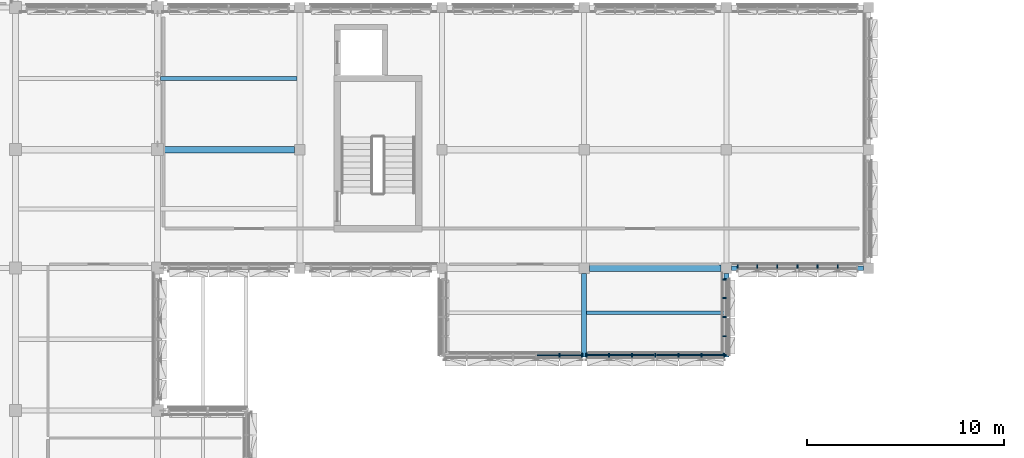
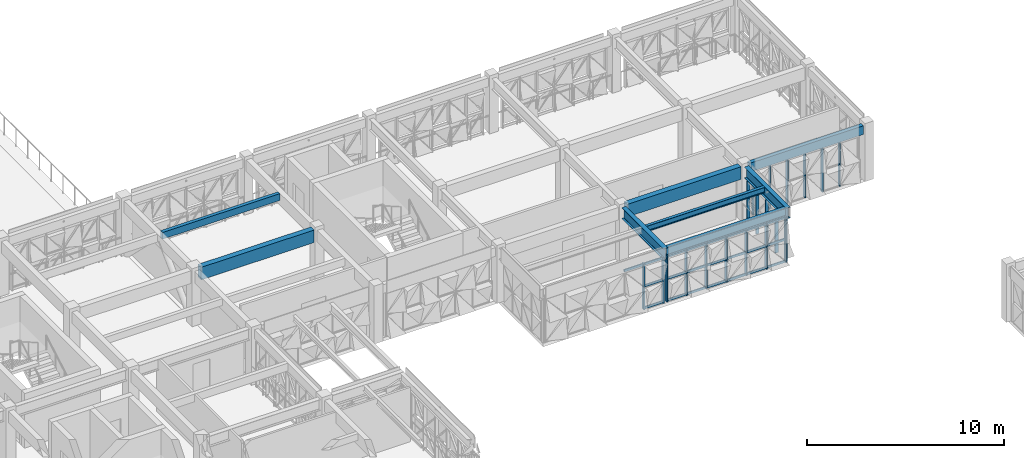
# One storey, part 9 of 99: 42 members, 8 beams, 4 elements without a shape of their own.
"""IFC4 building model written with IfcOpenShell, lengths in metres."""

from ifc_helpers import new_model, si_unit, direction, frame, origin, origin_2d, place, context, subcontext, project, spatial, rectangle, i_section, extrude, material, material_profile, profile_set, type_object, element, aggregate, save


model = new_model("IFC4")

# Units and contexts
model_context = context("Model", 3, precision=1e-05, world=origin(), true_north=direction((0.0, 1.0)))
body_context = subcontext(model_context, "Body", "Model", "MODEL_VIEW")
ifc_project = project(units=[si_unit("LENGTHUNIT", "METRE"), si_unit("AREAUNIT", "SQUARE_METRE"), si_unit("VOLUMEUNIT", "CUBIC_METRE"), si_unit("PLANEANGLEUNIT", "RADIAN"), si_unit("MASSUNIT", "GRAM", prefix="KILO")], contexts=[model_context])

# Site, building, storey
site_placement = place(None, origin())
site = spatial("IfcSite", under=ifc_project, at=site_placement, CompositionType="ELEMENT")
building_placement = place(site_placement, origin())
building = spatial("IfcBuilding", under=site, at=building_placement, Name="Alvorim Cloister Faculty of Sciences", CompositionType="ELEMENT")
storey_placement = place(building_placement, frame((0.0, 0.0, 12.14990234375)))
storey = spatial("IfcBuildingStorey", under=building, at=storey_placement, Name="L03", CompositionType="ELEMENT", Elevation=12.14990234375)

# Beams
ifc_material_1 = material(Name="Glulam GL32h", Category="wood")
ifc_material_profile_1 = material_profile(ifc_material_1, rectangle(XDim=0.320068359375, YDim=0.780029296875, at=origin_2d()), Name="GL32-BM-320x780")
ifc_profile_set_1 = profile_set([ifc_material_profile_1], Name="Glulam GL32h")
beam_type_1 = type_object("IfcBeamType", Name="BM-GL-320x780", PredefinedType="BEAM", material=ifc_profile_set_1)
beam_1_placement = place(storey_placement, frame((50.659912109375, 43.199951171875, 3.0), z_axis=(1.0, 0.0, 0.0), x_axis=(0.0, 1.0, 0.0)))
element("IfcBeam", 1, at=beam_1_placement, inside=storey, type_object=beam_type_1, Name="L03 Primary Beam BM-1540", PredefinedType="BEAM", context=body_context, shape_type="SweptSolid", body=[
    extrude(rectangle(XDim=0.320068359375, YDim=0.780029296875, at=origin_2d()), origin(), (0.0, 0.0, 1.0), 6.68017578125),
])
beam_2_placement = place(storey_placement, frame((29.10009765625, 49.199951171875, 3.0), z_axis=(1.0, 0.0, 0.0), x_axis=(0.0, 1.0, 0.0)))
element("IfcBeam", 2, at=beam_2_placement, inside=storey, type_object=beam_type_1, Name="L03 Primary Beam BM-1543", PredefinedType="BEAM", context=body_context, shape_type="SweptSolid", body=[
    extrude(rectangle(XDim=0.320068359375, YDim=0.780029296875, at=origin_2d()), origin(), (0.0, 0.0, 1.0), 6.639892578125),
])
ifc_material_2 = material(Name="Glulam GL28h", Category="wood")
ifc_material_profile_2 = material_profile(ifc_material_2, rectangle(XDim=0.199951171875, YDim=0.419921875, at=origin_2d()), Name="GL28-JST-200x420")
ifc_profile_set_2 = profile_set([ifc_material_profile_2], Name="Glulam GL28h")
beam_type_2 = type_object("IfcBeamType", Name="BM-JST-GL-200x420", PredefinedType="JOIST", material=ifc_profile_set_2)
beam_3_placement = place(storey_placement, frame((28.949951171875, 52.800048828125, 3.18017578125), z_axis=(1.0, 0.0, 0.0), x_axis=(0.0, 1.0, 0.0)))
element("IfcBeam", 3, at=beam_3_placement, inside=storey, type_object=beam_type_2, Name="L03 Secondary Floor Joist BM-1711", PredefinedType="JOIST", context=body_context, shape_type="SweptSolid", body=[
    extrude(rectangle(XDim=0.199951171875, YDim=0.419921875, at=origin_2d()), origin(), (0.0, 0.0, 1.0), 6.900146484375),
])
ifc_material_profile_3 = material_profile(ifc_material_2, rectangle(XDim=0.239990234375, YDim=0.5400390625, at=origin_2d()), Name="GL28-SPD-240x540")
ifc_profile_set_3 = profile_set([ifc_material_profile_3], Name="Glulam GL28h")
beam_type_3 = type_object("IfcBeamType", Name="BM-SPD-GL-240x540", PredefinedType="SPANDREL", material=ifc_profile_set_3)
beam_4_placement = place(storey_placement, frame((57.860107421875, 43.199951171875, 3.1201171875), z_axis=(1.0, 0.0, 0.0), x_axis=(0.0, 1.0, 0.0)))
element("IfcBeam", 4, at=beam_4_placement, inside=storey, type_object=beam_type_3, Name="L03 Primary Beam BM-1541", PredefinedType="SPANDREL", context=body_context, shape_type="SweptSolid", body=[
    extrude(rectangle(XDim=0.239990234375, YDim=0.5400390625, at=origin_2d()), origin(), (0.0, 0.0, 1.0), 6.679931640625),
])
ifc_material_3 = material(Name="Steel ASTM A572 Grade 50", Category="steel")
ifc_material_profile_4 = material_profile(ifc_material_3, i_section(OverallWidth=0.1708984375, OverallDepth=0.35498046875, WebThickness=0.007080078125, FlangeThickness=0.01171875, FilletRadius=0.012939453125, at=origin_2d()), Name="W360x51.0")
ifc_profile_set_4 = profile_set([ifc_material_profile_4], Name="Steel ASTM A572 Grade 50")
beam_type_4 = type_object("IfcBeamType", Name="BM-STL-W360", PredefinedType="JOIST", material=ifc_profile_set_4)
beam_5_placement = place(storey_placement, frame((50.510009765625, 40.949951171875, 3.212646484375), z_axis=(1.0, 0.0, 0.0), x_axis=(0.0, 1.0, 0.0)))
element("IfcBeam", 5, at=beam_5_placement, inside=storey, type_object=beam_type_4, Name="L03 Cantilever Deck Joist BM-0060", PredefinedType="JOIST", context=body_context, shape_type="SweptSolid", body=[
    extrude(i_section(OverallWidth=0.1708984375, OverallDepth=0.35498046875, WebThickness=0.007080078125, FlangeThickness=0.01171875, FilletRadius=0.012939453125, at=origin_2d()), origin(), (0.0, 0.0, 1.0), 6.97998046875),
])
ifc_material_profile_5 = material_profile(ifc_material_3, i_section(OverallWidth=0.208984375, OverallDepth=0.532958984375, WebThickness=0.01025390625, FlangeThickness=0.015625, FilletRadius=0.01611328125, at=origin_2d()), Name="W530x92.0")
ifc_profile_set_5 = profile_set([ifc_material_profile_5], Name="Steel ASTM A572 Grade 50")
beam_type_5 = type_object("IfcBeamType", Name="BM-STL-W530", PredefinedType="BEAM", material=ifc_profile_set_5)
beam_6_placement = place(storey_placement, frame((50.510009765625, 38.820068359375, 3.12353515625), z_axis=(1.0, 0.0, 0.0), x_axis=(0.0, 1.0, 0.0)))
element("IfcBeam", 6, at=beam_6_placement, inside=storey, type_object=beam_type_5, Name="L03 Cantilever Tip Header Girder BM-0059", PredefinedType="BEAM", context=body_context, shape_type="SweptSolid", body=[
    extrude(i_section(OverallWidth=0.208984375, OverallDepth=0.532958984375, WebThickness=0.01025390625, FlangeThickness=0.015625, FilletRadius=0.01611328125, at=origin_2d()), origin(), (0.0, 0.0, 1.0), 6.97998046875),
])
ifc_material_profile_6 = material_profile(ifc_material_3, i_section(OverallWidth=0.25390625, OverallDepth=0.68408203125, WebThickness=0.012451171875, FlangeThickness=0.01904296875, FilletRadius=0.01904296875, at=origin_2d()), Name="W690x140.0")
ifc_profile_set_6 = profile_set([ifc_material_profile_6], Name="Steel ASTM A572 Grade 50")
beam_type_6 = type_object("IfcBeamType", Name="BM-STL-W690", PredefinedType="BEAM", material=ifc_profile_set_6)
for number, where, z_axis, x_axis, name in (
    (7, (50.39990234375, 38.699951171875, 3.048095703125), (0.0, 1.0, 0.0), (-1.0, 0.0, 0.0), "L03 Cantilever Overhang Girder BM-0054"),
    (8, (57.60009765625, 38.699951171875, 3.048095703125), (0.0, 1.0, 0.0), (-1.0, 0.0, 0.0), "L03 Cantilever Overhang Girder BM-0056"),
):
    element("IfcBeam", number, at=place(storey_placement, frame(where, z_axis=z_axis, x_axis=x_axis)), inside=storey, type_object=beam_type_6, Name=name, PredefinedType="BEAM", context=body_context, shape_type="SweptSolid", body=[
        extrude(i_section(OverallWidth=0.25390625, OverallDepth=0.68408203125, WebThickness=0.012451171875, FlangeThickness=0.01904296875, FilletRadius=0.01904296875, at=origin_2d()), origin(), (0.0, 0.0, 1.0), 4.239990234375),
    ])

# Curtain wall, members
ifc_material_4 = material(Name="Aluminium and Low-E Glass Curtain Wall", Category="aluminium")
curtain_wall_type_1 = type_object("IfcCurtainWallType", Name="CW-TRI-6120x2850", PredefinedType="USERDEFINED", material=ifc_material_4)
curtain_wall_1_placement = place(storey_placement, origin())
curtain_wall_1 = element("IfcCurtainWall", 9, at=curtain_wall_1_placement, inside=storey, type_object=curtain_wall_type_1, Name="L03 Diagonal Cassette Curtain Wall CW-0132", ObjectType="UNITISED CURTAIN WALL", PredefinedType="USERDEFINED")
ifc_material_5 = material(Name="Aluminium Alloy 6063-T6", Category="aluminium")
ifc_material_profile_7 = material_profile(ifc_material_5, rectangle(XDim=0.06494140625, YDim=0.179931640625, at=origin_2d()), Name="ALU-MUL-65x180")
ifc_profile_set_7 = profile_set([ifc_material_profile_7], Name="Aluminium Alloy 6063-T6")
member_type_1 = type_object("IfcMemberType", Name="CW-MUL-65x180", PredefinedType="MULLION", material=ifc_profile_set_7)
member_1_placement = place(storey_placement, frame((58.172607421875, 43.2900390625, 0.0), z_axis=(0.0, 0.0, 1.0), x_axis=(1.0, 0.0, 0.0)))
member_1 = element("IfcMember", 10, at=member_1_placement, type_object=member_type_1, Name="CW-0132 Mullion 1", PredefinedType="MULLION", context=body_context, shape_type="SweptSolid", body=[
    extrude(rectangle(XDim=0.06494140625, YDim=0.179931640625, at=origin_2d()), origin(), (0.0, 0.0, 1.0), 2.85009765625),
])
member_2_placement = place(storey_placement, frame((59.159912109375, 43.2900390625, 0.0), z_axis=(0.0, 0.0, 1.0), x_axis=(1.0, 0.0, 0.0)))
member_2 = element("IfcMember", 11, at=member_2_placement, type_object=member_type_1, Name="CW-0132 Mullion 2", PredefinedType="MULLION", context=body_context, shape_type="SweptSolid", body=[
    extrude(rectangle(XDim=0.06494140625, YDim=0.179931640625, at=origin_2d()), origin(), (0.0, 0.0, 1.0), 2.85009765625),
])
member_3_placement = place(storey_placement, frame((60.179931640625, 43.2900390625, 0.0), z_axis=(0.0, 0.0, 1.0), x_axis=(1.0, 0.0, 0.0)))
member_3 = element("IfcMember", 12, at=member_3_placement, type_object=member_type_1, Name="CW-0132 Mullion 3", PredefinedType="MULLION", context=body_context, shape_type="SweptSolid", body=[
    extrude(rectangle(XDim=0.06494140625, YDim=0.179931640625, at=origin_2d()), origin(), (0.0, 0.0, 1.0), 2.85009765625),
])
member_4_placement = place(storey_placement, frame((61.199951171875, 43.2900390625, 0.0), z_axis=(0.0, 0.0, 1.0), x_axis=(1.0, 0.0, 0.0)))
member_4 = element("IfcMember", 13, at=member_4_placement, type_object=member_type_1, Name="CW-0132 Mullion 4", PredefinedType="MULLION", context=body_context, shape_type="SweptSolid", body=[
    extrude(rectangle(XDim=0.06494140625, YDim=0.179931640625, at=origin_2d()), origin(), (0.0, 0.0, 1.0), 2.85009765625),
])
member_5_placement = place(storey_placement, frame((62.219970703125, 43.2900390625, 0.0), z_axis=(0.0, 0.0, 1.0), x_axis=(1.0, 0.0, 0.0)))
member_5 = element("IfcMember", 14, at=member_5_placement, type_object=member_type_1, Name="CW-0132 Mullion 5", PredefinedType="MULLION", context=body_context, shape_type="SweptSolid", body=[
    extrude(rectangle(XDim=0.06494140625, YDim=0.179931640625, at=origin_2d()), origin(), (0.0, 0.0, 1.0), 2.85009765625),
])
member_6_placement = place(storey_placement, frame((63.239990234375, 43.2900390625, 0.0), z_axis=(0.0, 0.0, 1.0), x_axis=(1.0, 0.0, 0.0)))
member_6 = element("IfcMember", 15, at=member_6_placement, type_object=member_type_1, Name="CW-0132 Mullion 6", PredefinedType="MULLION", context=body_context, shape_type="SweptSolid", body=[
    extrude(rectangle(XDim=0.06494140625, YDim=0.179931640625, at=origin_2d()), origin(), (0.0, 0.0, 1.0), 2.85009765625),
])
aggregate(curtain_wall_1, [member_1, member_2, member_3, member_4, member_5, member_6])

curtain_wall_type_2 = type_object("IfcCurtainWallType", Name="CW-TRI-3880x2706", PredefinedType="USERDEFINED", material=ifc_material_4)
curtain_wall_2_placement = place(storey_placement, origin())
curtain_wall_2 = element("IfcCurtainWall", 16, at=curtain_wall_2_placement, inside=storey, type_object=curtain_wall_type_2, Name="L03 Diagonal Cassette Curtain Wall CW-0133", ObjectType="UNITISED CURTAIN WALL", PredefinedType="USERDEFINED")
member_7_placement = place(storey_placement, frame((57.510009765625, 38.8125, 0.0), z_axis=(0.0, 0.0, 1.0), x_axis=(0.0, 1.0, 0.0)))
member_7 = element("IfcMember", 17, at=member_7_placement, type_object=member_type_1, Name="CW-0133 Mullion 1", PredefinedType="MULLION", context=body_context, shape_type="SweptSolid", body=[
    extrude(rectangle(XDim=0.06494140625, YDim=0.179931640625, at=origin_2d()), origin(), (0.0, 0.0, 1.0), 2.7060546875),
])
member_8_placement = place(storey_placement, frame((57.510009765625, 39.75, 0.0), z_axis=(0.0, 0.0, 1.0), x_axis=(0.0, 1.0, 0.0)))
member_8 = element("IfcMember", 18, at=member_8_placement, type_object=member_type_1, Name="CW-0133 Mullion 2", PredefinedType="MULLION", context=body_context, shape_type="SweptSolid", body=[
    extrude(rectangle(XDim=0.06494140625, YDim=0.179931640625, at=origin_2d()), origin(), (0.0, 0.0, 1.0), 2.7060546875),
])
member_9_placement = place(storey_placement, frame((57.510009765625, 40.719970703125, 0.0), z_axis=(0.0, 0.0, 1.0), x_axis=(0.0, 1.0, 0.0)))
member_9 = element("IfcMember", 19, at=member_9_placement, type_object=member_type_1, Name="CW-0133 Mullion 3", PredefinedType="MULLION", context=body_context, shape_type="SweptSolid", body=[
    extrude(rectangle(XDim=0.06494140625, YDim=0.179931640625, at=origin_2d()), origin(), (0.0, 0.0, 1.0), 2.7060546875),
])
member_10_placement = place(storey_placement, frame((57.510009765625, 41.68994140625, 0.0), z_axis=(0.0, 0.0, 1.0), x_axis=(0.0, 1.0, 0.0)))
member_10 = element("IfcMember", 20, at=member_10_placement, type_object=member_type_1, Name="CW-0133 Mullion 4", PredefinedType="MULLION", context=body_context, shape_type="SweptSolid", body=[
    extrude(rectangle(XDim=0.06494140625, YDim=0.179931640625, at=origin_2d()), origin(), (0.0, 0.0, 1.0), 2.7060546875),
])
member_11_placement = place(storey_placement, frame((57.510009765625, 42.62744140625, 0.0), z_axis=(0.0, 0.0, 1.0), x_axis=(0.0, 1.0, 0.0)))
member_11 = element("IfcMember", 21, at=member_11_placement, type_object=member_type_1, Name="CW-0133 Mullion 5", PredefinedType="MULLION", context=body_context, shape_type="SweptSolid", body=[
    extrude(rectangle(XDim=0.06494140625, YDim=0.179931640625, at=origin_2d()), origin(), (0.0, 0.0, 1.0), 2.7060546875),
])
aggregate(curtain_wall_2, [member_7, member_8, member_9, member_10, member_11])

curtain_wall_type_3 = type_object("IfcCurtainWallType", Name="CW-TRI-7040x2857", PredefinedType="USERDEFINED", material=ifc_material_4)
curtain_wall_3_placement = place(storey_placement, origin())
curtain_wall_3 = element("IfcCurtainWall", 22, at=curtain_wall_3_placement, inside=storey, type_object=curtain_wall_type_3, Name="L03 Diagonal Cassette Curtain Wall CW-0134", ObjectType="UNITISED CURTAIN WALL", PredefinedType="USERDEFINED")
member_12_placement = place(storey_placement, frame((50.512451171875, 38.7900390625, 0.0), z_axis=(0.0, 0.0, 1.0), x_axis=(1.0, 0.0, 0.0)))
member_12 = element("IfcMember", 23, at=member_12_placement, type_object=member_type_1, Name="CW-0134 Mullion 1", PredefinedType="MULLION", context=body_context, shape_type="SweptSolid", body=[
    extrude(rectangle(XDim=0.06494140625, YDim=0.179931640625, at=origin_2d()), origin(), (0.0, 0.0, 1.0), 2.857177734375),
])
member_13_placement = place(storey_placement, frame((51.6533203125, 38.7900390625, 0.0), z_axis=(0.0, 0.0, 1.0), x_axis=(1.0, 0.0, 0.0)))
member_13 = element("IfcMember", 24, at=member_13_placement, type_object=member_type_1, Name="CW-0134 Mullion 2", PredefinedType="MULLION", context=body_context, shape_type="SweptSolid", body=[
    extrude(rectangle(XDim=0.06494140625, YDim=0.179931640625, at=origin_2d()), origin(), (0.0, 0.0, 1.0), 2.857177734375),
])
member_14_placement = place(storey_placement, frame((52.82666015625, 38.7900390625, 0.0), z_axis=(0.0, 0.0, 1.0), x_axis=(1.0, 0.0, 0.0)))
member_14 = element("IfcMember", 25, at=member_14_placement, type_object=member_type_1, Name="CW-0134 Mullion 3", PredefinedType="MULLION", context=body_context, shape_type="SweptSolid", body=[
    extrude(rectangle(XDim=0.06494140625, YDim=0.179931640625, at=origin_2d()), origin(), (0.0, 0.0, 1.0), 2.857177734375),
])
member_15_placement = place(storey_placement, frame((54.0, 38.7900390625, 0.0), z_axis=(0.0, 0.0, 1.0), x_axis=(1.0, 0.0, 0.0)))
member_15 = element("IfcMember", 26, at=member_15_placement, type_object=member_type_1, Name="CW-0134 Mullion 4", PredefinedType="MULLION", context=body_context, shape_type="SweptSolid", body=[
    extrude(rectangle(XDim=0.06494140625, YDim=0.179931640625, at=origin_2d()), origin(), (0.0, 0.0, 1.0), 2.857177734375),
])
member_16_placement = place(storey_placement, frame((55.17333984375, 38.7900390625, 0.0), z_axis=(0.0, 0.0, 1.0), x_axis=(1.0, 0.0, 0.0)))
member_16 = element("IfcMember", 27, at=member_16_placement, type_object=member_type_1, Name="CW-0134 Mullion 5", PredefinedType="MULLION", context=body_context, shape_type="SweptSolid", body=[
    extrude(rectangle(XDim=0.06494140625, YDim=0.179931640625, at=origin_2d()), origin(), (0.0, 0.0, 1.0), 2.857177734375),
])
member_17_placement = place(storey_placement, frame((56.3466796875, 38.7900390625, 0.0), z_axis=(0.0, 0.0, 1.0), x_axis=(1.0, 0.0, 0.0)))
member_17 = element("IfcMember", 28, at=member_17_placement, type_object=member_type_1, Name="CW-0134 Mullion 6", PredefinedType="MULLION", context=body_context, shape_type="SweptSolid", body=[
    extrude(rectangle(XDim=0.06494140625, YDim=0.179931640625, at=origin_2d()), origin(), (0.0, 0.0, 1.0), 2.857177734375),
])
member_18_placement = place(storey_placement, frame((57.487548828125, 38.7900390625, 0.0), z_axis=(0.0, 0.0, 1.0), x_axis=(1.0, 0.0, 0.0)))
member_18 = element("IfcMember", 29, at=member_18_placement, type_object=member_type_1, Name="CW-0134 Mullion 7", PredefinedType="MULLION", context=body_context, shape_type="SweptSolid", body=[
    extrude(rectangle(XDim=0.06494140625, YDim=0.179931640625, at=origin_2d()), origin(), (0.0, 0.0, 1.0), 2.857177734375),
])

curtain_wall_4_placement = place(storey_placement, origin())
curtain_wall_4 = element("IfcCurtainWall", 30, at=curtain_wall_4_placement, inside=storey, type_object=curtain_wall_type_3, Name="L03 Diagonal Cassette Curtain Wall CW-0135", ObjectType="UNITISED CURTAIN WALL", PredefinedType="USERDEFINED")
member_19_placement = place(storey_placement, frame((49.146728515625, 38.7900390625, 0.0), z_axis=(0.0, 0.0, 1.0), x_axis=(1.0, 0.0, 0.0)))
member_19 = element("IfcMember", 31, at=member_19_placement, type_object=member_type_1, Name="CW-0135 Mullion 6", PredefinedType="MULLION", context=body_context, shape_type="SweptSolid", body=[
    extrude(rectangle(XDim=0.06494140625, YDim=0.179931640625, at=origin_2d()), origin(), (0.0, 0.0, 1.0), 2.857177734375),
])
member_20_placement = place(storey_placement, frame((50.28759765625, 38.7900390625, 0.0), z_axis=(0.0, 0.0, 1.0), x_axis=(1.0, 0.0, 0.0)))
member_20 = element("IfcMember", 32, at=member_20_placement, type_object=member_type_1, Name="CW-0135 Mullion 7", PredefinedType="MULLION", context=body_context, shape_type="SweptSolid", body=[
    extrude(rectangle(XDim=0.06494140625, YDim=0.179931640625, at=origin_2d()), origin(), (0.0, 0.0, 1.0), 2.857177734375),
])

# Member
ifc_material_profile_8 = material_profile(ifc_material_5, rectangle(XDim=0.06494140625, YDim=0.139892578125, at=origin_2d()), Name="ALU-TRN-65x140")
ifc_profile_set_8 = profile_set([ifc_material_profile_8], Name="Aluminium Alloy 6063-T6")
member_type_2 = type_object("IfcMemberType", Name="CW-TRN-65x140", PredefinedType="USERDEFINED", material=ifc_profile_set_8)
member_21_placement = place(storey_placement, frame((50.544921875, 38.7900390625, 0.070068359375), z_axis=(1.0, 0.0, 0.0), x_axis=(0.0, 1.0, 0.0)))
member_21 = element("IfcMember", 33, at=member_21_placement, type_object=member_type_2, Name="CW-0134 Transom 1.1", ObjectType="TRANSOM", PredefinedType="USERDEFINED", context=body_context, shape_type="SweptSolid", body=[
    extrude(rectangle(XDim=0.06494140625, YDim=0.139892578125, at=origin_2d()), origin(), (0.0, 0.0, 1.0), 1.075927734375),
])

member_22_placement = place(storey_placement, frame((50.544921875, 38.7900390625, 1.4287109375), z_axis=(1.0, 0.0, 0.0), x_axis=(0.0, 1.0, 0.0)))
member_22 = element("IfcMember", 34, at=member_22_placement, type_object=member_type_2, Name="CW-0134 Transom 1.2", ObjectType="TRANSOM", PredefinedType="USERDEFINED", context=body_context, shape_type="SweptSolid", body=[
    extrude(rectangle(XDim=0.06494140625, YDim=0.139892578125, at=origin_2d()), origin(), (0.0, 0.0, 1.0), 1.075927734375),
])

member_23_placement = place(storey_placement, frame((50.544921875, 38.7900390625, 2.787109375), z_axis=(1.0, 0.0, 0.0), x_axis=(0.0, 1.0, 0.0)))
member_23 = element("IfcMember", 35, at=member_23_placement, type_object=member_type_2, Name="CW-0134 Transom 1.3", ObjectType="TRANSOM", PredefinedType="USERDEFINED", context=body_context, shape_type="SweptSolid", body=[
    extrude(rectangle(XDim=0.06494140625, YDim=0.139892578125, at=origin_2d()), origin(), (0.0, 0.0, 1.0), 1.075927734375),
])

member_24_placement = place(storey_placement, frame((51.685791015625, 38.7900390625, 0.070068359375), z_axis=(1.0, 0.0, 0.0), x_axis=(0.0, 1.0, 0.0)))
member_24 = element("IfcMember", 36, at=member_24_placement, type_object=member_type_2, Name="CW-0134 Transom 2.1", ObjectType="TRANSOM", PredefinedType="USERDEFINED", context=body_context, shape_type="SweptSolid", body=[
    extrude(rectangle(XDim=0.06494140625, YDim=0.139892578125, at=origin_2d()), origin(), (0.0, 0.0, 1.0), 1.1083984375),
])

member_25_placement = place(storey_placement, frame((51.685791015625, 38.7900390625, 1.4287109375), z_axis=(1.0, 0.0, 0.0), x_axis=(0.0, 1.0, 0.0)))
member_25 = element("IfcMember", 37, at=member_25_placement, type_object=member_type_2, Name="CW-0134 Transom 2.2", ObjectType="TRANSOM", PredefinedType="USERDEFINED", context=body_context, shape_type="SweptSolid", body=[
    extrude(rectangle(XDim=0.06494140625, YDim=0.139892578125, at=origin_2d()), origin(), (0.0, 0.0, 1.0), 1.1083984375),
])

member_26_placement = place(storey_placement, frame((51.685791015625, 38.7900390625, 2.787109375), z_axis=(1.0, 0.0, 0.0), x_axis=(0.0, 1.0, 0.0)))
member_26 = element("IfcMember", 38, at=member_26_placement, type_object=member_type_2, Name="CW-0134 Transom 2.3", ObjectType="TRANSOM", PredefinedType="USERDEFINED", context=body_context, shape_type="SweptSolid", body=[
    extrude(rectangle(XDim=0.06494140625, YDim=0.139892578125, at=origin_2d()), origin(), (0.0, 0.0, 1.0), 1.1083984375),
])

member_27_placement = place(storey_placement, frame((52.859130859375, 38.7900390625, 0.070068359375), z_axis=(1.0, 0.0, 0.0), x_axis=(0.0, 1.0, 0.0)))
member_27 = element("IfcMember", 39, at=member_27_placement, type_object=member_type_2, Name="CW-0134 Transom 3.1", ObjectType="TRANSOM", PredefinedType="USERDEFINED", context=body_context, shape_type="SweptSolid", body=[
    extrude(rectangle(XDim=0.06494140625, YDim=0.139892578125, at=origin_2d()), origin(), (0.0, 0.0, 1.0), 1.1083984375),
])

member_28_placement = place(storey_placement, frame((52.859130859375, 38.7900390625, 1.4287109375), z_axis=(1.0, 0.0, 0.0), x_axis=(0.0, 1.0, 0.0)))
member_28 = element("IfcMember", 40, at=member_28_placement, type_object=member_type_2, Name="CW-0134 Transom 3.2", ObjectType="TRANSOM", PredefinedType="USERDEFINED", context=body_context, shape_type="SweptSolid", body=[
    extrude(rectangle(XDim=0.06494140625, YDim=0.139892578125, at=origin_2d()), origin(), (0.0, 0.0, 1.0), 1.1083984375),
])

member_29_placement = place(storey_placement, frame((52.859130859375, 38.7900390625, 2.787109375), z_axis=(1.0, 0.0, 0.0), x_axis=(0.0, 1.0, 0.0)))
member_29 = element("IfcMember", 41, at=member_29_placement, type_object=member_type_2, Name="CW-0134 Transom 3.3", ObjectType="TRANSOM", PredefinedType="USERDEFINED", context=body_context, shape_type="SweptSolid", body=[
    extrude(rectangle(XDim=0.06494140625, YDim=0.139892578125, at=origin_2d()), origin(), (0.0, 0.0, 1.0), 1.1083984375),
])

member_30_placement = place(storey_placement, frame((54.032470703125, 38.7900390625, 0.070068359375), z_axis=(1.0, 0.0, 0.0), x_axis=(0.0, 1.0, 0.0)))
member_30 = element("IfcMember", 42, at=member_30_placement, type_object=member_type_2, Name="CW-0134 Transom 4.1", ObjectType="TRANSOM", PredefinedType="USERDEFINED", context=body_context, shape_type="SweptSolid", body=[
    extrude(rectangle(XDim=0.06494140625, YDim=0.139892578125, at=origin_2d()), origin(), (0.0, 0.0, 1.0), 1.1083984375),
])

member_31_placement = place(storey_placement, frame((54.032470703125, 38.7900390625, 1.4287109375), z_axis=(1.0, 0.0, 0.0), x_axis=(0.0, 1.0, 0.0)))
member_31 = element("IfcMember", 43, at=member_31_placement, type_object=member_type_2, Name="CW-0134 Transom 4.2", ObjectType="TRANSOM", PredefinedType="USERDEFINED", context=body_context, shape_type="SweptSolid", body=[
    extrude(rectangle(XDim=0.06494140625, YDim=0.139892578125, at=origin_2d()), origin(), (0.0, 0.0, 1.0), 1.1083984375),
])

member_32_placement = place(storey_placement, frame((54.032470703125, 38.7900390625, 2.787109375), z_axis=(1.0, 0.0, 0.0), x_axis=(0.0, 1.0, 0.0)))
member_32 = element("IfcMember", 44, at=member_32_placement, type_object=member_type_2, Name="CW-0134 Transom 4.3", ObjectType="TRANSOM", PredefinedType="USERDEFINED", context=body_context, shape_type="SweptSolid", body=[
    extrude(rectangle(XDim=0.06494140625, YDim=0.139892578125, at=origin_2d()), origin(), (0.0, 0.0, 1.0), 1.1083984375),
])

member_33_placement = place(storey_placement, frame((55.205810546875, 38.7900390625, 0.070068359375), z_axis=(1.0, 0.0, 0.0), x_axis=(0.0, 1.0, 0.0)))
member_33 = element("IfcMember", 45, at=member_33_placement, type_object=member_type_2, Name="CW-0134 Transom 5.1", ObjectType="TRANSOM", PredefinedType="USERDEFINED", context=body_context, shape_type="SweptSolid", body=[
    extrude(rectangle(XDim=0.06494140625, YDim=0.139892578125, at=origin_2d()), origin(), (0.0, 0.0, 1.0), 1.1083984375),
])

member_34_placement = place(storey_placement, frame((55.205810546875, 38.7900390625, 1.4287109375), z_axis=(1.0, 0.0, 0.0), x_axis=(0.0, 1.0, 0.0)))
member_34 = element("IfcMember", 46, at=member_34_placement, type_object=member_type_2, Name="CW-0134 Transom 5.2", ObjectType="TRANSOM", PredefinedType="USERDEFINED", context=body_context, shape_type="SweptSolid", body=[
    extrude(rectangle(XDim=0.06494140625, YDim=0.139892578125, at=origin_2d()), origin(), (0.0, 0.0, 1.0), 1.1083984375),
])

member_35_placement = place(storey_placement, frame((55.205810546875, 38.7900390625, 2.787109375), z_axis=(1.0, 0.0, 0.0), x_axis=(0.0, 1.0, 0.0)))
member_35 = element("IfcMember", 47, at=member_35_placement, type_object=member_type_2, Name="CW-0134 Transom 5.3", ObjectType="TRANSOM", PredefinedType="USERDEFINED", context=body_context, shape_type="SweptSolid", body=[
    extrude(rectangle(XDim=0.06494140625, YDim=0.139892578125, at=origin_2d()), origin(), (0.0, 0.0, 1.0), 1.1083984375),
])

member_36_placement = place(storey_placement, frame((56.379150390625, 38.7900390625, 0.070068359375), z_axis=(1.0, 0.0, 0.0), x_axis=(0.0, 1.0, 0.0)))
member_36 = element("IfcMember", 48, at=member_36_placement, type_object=member_type_2, Name="CW-0134 Transom 6.1", ObjectType="TRANSOM", PredefinedType="USERDEFINED", context=body_context, shape_type="SweptSolid", body=[
    extrude(rectangle(XDim=0.06494140625, YDim=0.139892578125, at=origin_2d()), origin(), (0.0, 0.0, 1.0), 1.075927734375),
])

member_37_placement = place(storey_placement, frame((56.379150390625, 38.7900390625, 1.4287109375), z_axis=(1.0, 0.0, 0.0), x_axis=(0.0, 1.0, 0.0)))
member_37 = element("IfcMember", 49, at=member_37_placement, type_object=member_type_2, Name="CW-0134 Transom 6.2", ObjectType="TRANSOM", PredefinedType="USERDEFINED", context=body_context, shape_type="SweptSolid", body=[
    extrude(rectangle(XDim=0.06494140625, YDim=0.139892578125, at=origin_2d()), origin(), (0.0, 0.0, 1.0), 1.075927734375),
])

member_38_placement = place(storey_placement, frame((56.379150390625, 38.7900390625, 2.787109375), z_axis=(1.0, 0.0, 0.0), x_axis=(0.0, 1.0, 0.0)))
member_38 = element("IfcMember", 50, at=member_38_placement, type_object=member_type_2, Name="CW-0134 Transom 6.3", ObjectType="TRANSOM", PredefinedType="USERDEFINED", context=body_context, shape_type="SweptSolid", body=[
    extrude(rectangle(XDim=0.06494140625, YDim=0.139892578125, at=origin_2d()), origin(), (0.0, 0.0, 1.0), 1.075927734375),
])

aggregate(curtain_wall_3, [member_12, member_13, member_14, member_15, member_16, member_17, member_18, member_21, member_22, member_23, member_24, member_25, member_26, member_27, member_28, member_29, member_30, member_31, member_32, member_33, member_34, member_35, member_36, member_37, member_38])

member_39_placement = place(storey_placement, frame((48.005859375, 38.7900390625, 2.787109375), z_axis=(1.0, 0.0, 0.0), x_axis=(0.0, 1.0, 0.0)))
member_39 = element("IfcMember", 51, at=member_39_placement, type_object=member_type_2, Name="CW-0135 Transom 5.3", ObjectType="TRANSOM", PredefinedType="USERDEFINED", context=body_context, shape_type="SweptSolid", body=[
    extrude(rectangle(XDim=0.06494140625, YDim=0.139892578125, at=origin_2d()), origin(), (0.0, 0.0, 1.0), 1.1083984375),
])

member_40_placement = place(storey_placement, frame((49.17919921875, 38.7900390625, 0.070068359375), z_axis=(1.0, 0.0, 0.0), x_axis=(0.0, 1.0, 0.0)))
member_40 = element("IfcMember", 52, at=member_40_placement, type_object=member_type_2, Name="CW-0135 Transom 6.1", ObjectType="TRANSOM", PredefinedType="USERDEFINED", context=body_context, shape_type="SweptSolid", body=[
    extrude(rectangle(XDim=0.06494140625, YDim=0.139892578125, at=origin_2d()), origin(), (0.0, 0.0, 1.0), 1.07568359375),
])

member_41_placement = place(storey_placement, frame((49.17919921875, 38.7900390625, 1.4287109375), z_axis=(1.0, 0.0, 0.0), x_axis=(0.0, 1.0, 0.0)))
member_41 = element("IfcMember", 53, at=member_41_placement, type_object=member_type_2, Name="CW-0135 Transom 6.2", ObjectType="TRANSOM", PredefinedType="USERDEFINED", context=body_context, shape_type="SweptSolid", body=[
    extrude(rectangle(XDim=0.06494140625, YDim=0.139892578125, at=origin_2d()), origin(), (0.0, 0.0, 1.0), 1.07568359375),
])

member_42_placement = place(storey_placement, frame((49.17919921875, 38.7900390625, 2.787109375), z_axis=(1.0, 0.0, 0.0), x_axis=(0.0, 1.0, 0.0)))
member_42 = element("IfcMember", 54, at=member_42_placement, type_object=member_type_2, Name="CW-0135 Transom 6.3", ObjectType="TRANSOM", PredefinedType="USERDEFINED", context=body_context, shape_type="SweptSolid", body=[
    extrude(rectangle(XDim=0.06494140625, YDim=0.139892578125, at=origin_2d()), origin(), (0.0, 0.0, 1.0), 1.07568359375),
])

aggregate(curtain_wall_4, [member_19, member_20, member_39, member_40, member_41, member_42])

save(model, "model.ifc")
